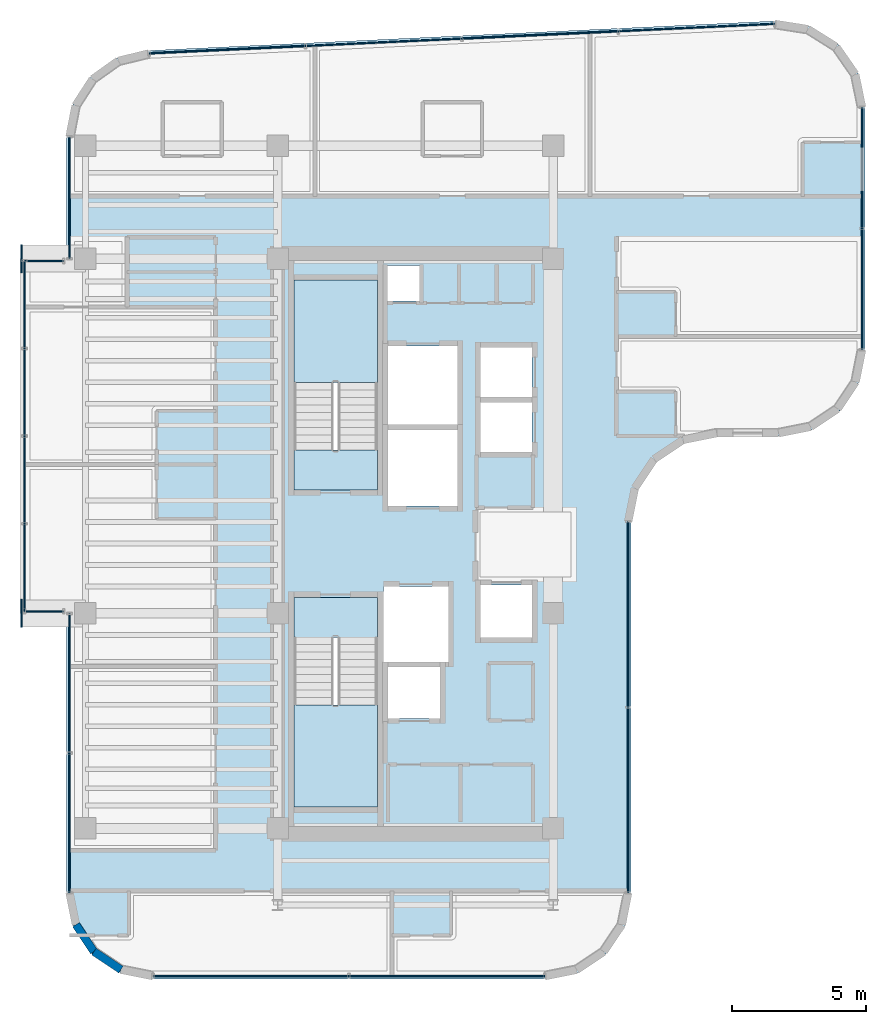
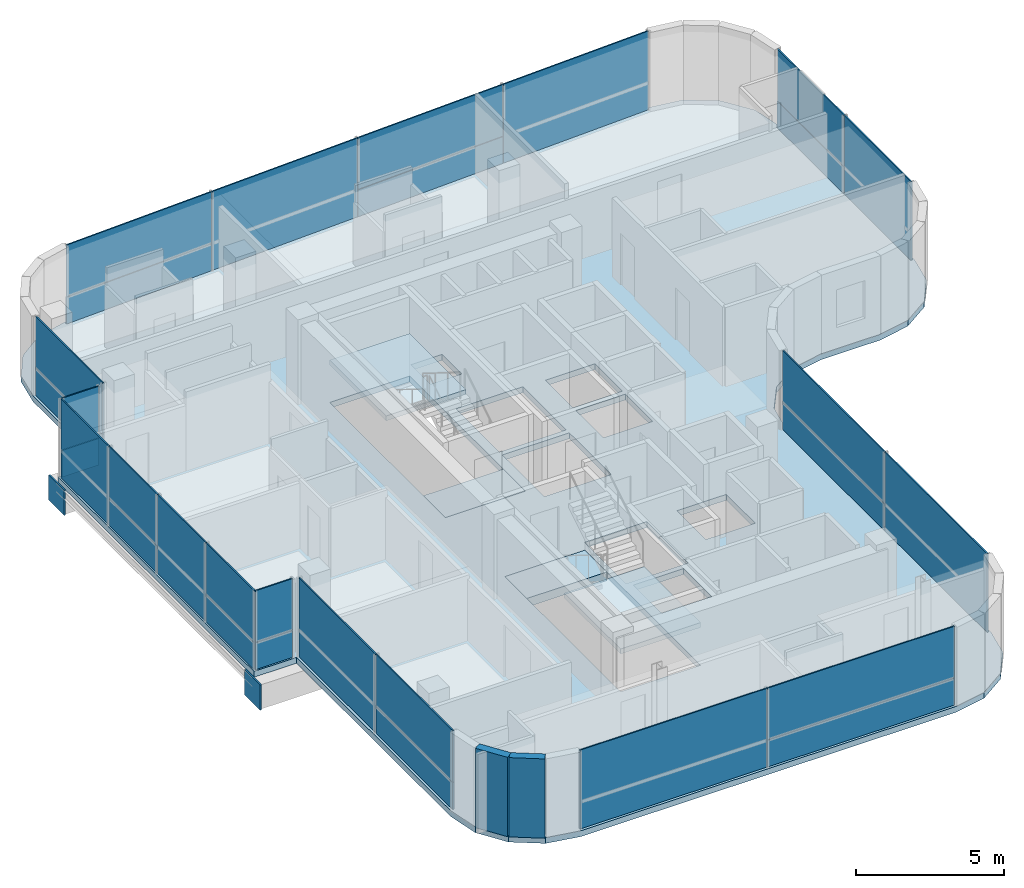
# One storey, part 13 of 20: 32 plates, 5 slabs, 2 walls, 11 elements without a shape of their own.
"""IFC4 building model written with IfcOpenShell, lengths in metres."""

from ifc_helpers import new_model, si_unit, direction, frame, frame_2d, origin, origin_2d, place, context, subcontext, project, spatial, polyline, rectangle, outline, extrude, source, transform, mapped, material, layer, layer_set, type_object, element, aggregate, save


model = new_model("IFC4")

# Units and contexts
model_context = context("Model", 3, precision=1e-05, world=origin(), true_north=direction((0.0, 1.0)))
body_context = subcontext(model_context, "Body", "Model", "MODEL_VIEW")
ifc_project = project(units=[si_unit("LENGTHUNIT", "METRE"), si_unit("AREAUNIT", "SQUARE_METRE"), si_unit("VOLUMEUNIT", "CUBIC_METRE"), si_unit("PLANEANGLEUNIT", "RADIAN"), si_unit("MASSUNIT", "GRAM", prefix="KILO")], contexts=[model_context])

# Site, building, storey
site_placement = place(None, origin())
site = spatial("IfcSite", under=ifc_project, at=site_placement, CompositionType="ELEMENT")
building_placement = place(site_placement, origin())
building = spatial("IfcBuilding", under=site, at=building_placement, Name="Valdorenza Pilgrim Sanctuary Tower", CompositionType="ELEMENT")
storey_placement = place(building_placement, frame((0.0, 0.0, 244.0)))
storey = spatial("IfcBuildingStorey", under=building, at=storey_placement, Name="L63", CompositionType="ELEMENT", Elevation=244.0)

# Slab
ifc_material_1 = material(Name="Concrete C40/50", Category="concrete")
ifc_layer_1 = layer(ifc_material_1, 0.239990234375, Name="Concrete C40/50")
ifc_layer_set_1 = layer_set([ifc_layer_1], Name="Concrete C40/50")
slab_type_1 = type_object("IfcSlabType", Name="SLAB-FLR-220", PredefinedType="FLOOR", material=ifc_layer_set_1)
slab_1_placement = place(storey_placement, frame((0.0, 0.0, -0.239990234375)))
element("IfcSlab", 1, at=slab_1_placement, inside=storey, type_object=slab_type_1, Name="L63 Structural Floor Slab 1", PredefinedType="FLOOR", context=body_context, shape_type="SweptSolid", body=[
    extrude(outline(polyline([(-30.2705078125, 16.3369140625), (-29.615478515625, 17.356201171875), (-28.628173828125, 18.05859375), (-27.45068359375, 18.34375), (-4.150634765625, 19.442138671875), (-2.880615234375, 19.243408203125), (-1.791259765625, 18.56103515625), (-1.05810546875, 17.5048828125), (-0.800048828125, 16.24560546875), (-0.800048828125, 7.199951171875), (-1.043701171875, 5.975341796875), (-1.7373046875, 4.937255859375), (-2.775390625, 4.24365234375), (-4.0, 4.0), (-6.300048828125, 4.0), (-7.524658203125, 3.75634765625), (-8.562744140625, 3.062744140625), (-9.25634765625, 2.024658203125), (-9.5, 0.800048828125), (-9.5, -13.0), (-9.74365234375, -14.224609375), (-10.437255859375, -15.2626953125), (-11.475341796875, -15.956298828125), (-12.699951171875, -16.199951171875), (-27.300048828125, -16.199951171875), (-28.524658203125, -15.956298828125), (-29.562744140625, -15.2626953125), (-30.25634765625, -14.224609375), (-30.5, -13.0), (-30.5, -2.60009765625), (-32.14990234375, -2.60009765625), (-32.14990234375, 10.60009765625), (-30.5, 10.60009765625), (-30.5, 15.147216796875), (-30.2705078125, 16.3369140625)]), holes=[polyline([(-22.050048828125, -9.800048828125), (-18.93994140625, -9.800048828125), (-18.93994140625, -3.485107421875), (-18.93994140625, -2.0), (-22.050048828125, -2.0), (-22.050048828125, -3.485107421875), (-22.050048828125, -9.800048828125)]), polyline([(-16.60009765625, -6.5), (-16.60009765625, -4.60009765625), (-18.550048828125, -4.60009765625), (-18.550048828125, -6.5), (-16.60009765625, -6.5)]), polyline([(-22.050048828125, 2.0), (-18.93994140625, 2.0), (-18.93994140625, 3.485107421875), (-18.93994140625, 9.800048828125), (-22.050048828125, 9.800048828125), (-22.050048828125, 3.485107421875), (-22.050048828125, 2.0)]), polyline([(-17.360107421875, 9.030029296875), (-17.360107421875, 10.35009765625), (-18.570068359375, 10.35009765625), (-18.570068359375, 9.030029296875), (-17.360107421875, 9.030029296875)]), polyline([(-16.300048828125, -1.60009765625), (-18.719970703125, -1.60009765625), (-18.719970703125, -4.39990234375), (-16.300048828125, -4.39990234375), (-16.300048828125, -1.60009765625)]), polyline([(-13.179931640625, -3.5), (-13.179931640625, -1.550048828125), (-15.10009765625, -1.550048828125), (-15.10009765625, -3.5), (-13.179931640625, -3.5)]), polyline([(-15.949951171875, 1.39990234375), (-15.949951171875, 4.22509765625), (-18.550048828125, 4.22509765625), (-18.550048828125, 1.39990234375), (-15.949951171875, 1.39990234375)]), polyline([(-13.179931640625, 5.25), (-15.10009765625, 5.25), (-15.10009765625, 3.39990234375), (-13.179931640625, 3.39990234375), (-13.179931640625, 5.25)]), polyline([(-15.949951171875, 4.425048828125), (-15.949951171875, 7.35009765625), (-18.550048828125, 7.35009765625), (-18.550048828125, 4.425048828125), (-15.949951171875, 4.425048828125)]), polyline([(-13.179931640625, 5.449951171875), (-13.179931640625, 7.300048828125), (-15.10009765625, 7.300048828125), (-15.10009765625, 5.449951171875), (-13.179931640625, 5.449951171875)])]), origin(), (0.0, 0.0, 1.0), 0.239990234375),
])

# Stair, slab
stair_type = type_object("IfcStairType", Name="STR-DOG-CORE", PredefinedType="HALF_TURN_STAIR", material=ifc_material_1)
stair_1_placement = place(storey_placement, origin())
stair_1 = element("IfcStair", 2, at=stair_1_placement, inside=storey, type_object=stair_type, Name="L63 ST-A1", PredefinedType="HALF_TURN_STAIR")
ifc_layer_2 = layer(ifc_material_1, 0.199951171875, Name="Concrete C40/50")
ifc_layer_set_2 = layer_set([ifc_layer_2], Name="Concrete C40/50")
slab_type_2 = type_object("IfcSlabType", Name="SLAB-STL-200", PredefinedType="LANDING", material=ifc_layer_set_2)
slab_2_placement = place(storey_placement, frame((0.0, 0.0, 1.550048828125)))
slab_2 = element("IfcSlab", 3, at=slab_2_placement, type_object=slab_type_2, Name="ST-A1 landing 1", PredefinedType="LANDING", context=body_context, shape_type="SweptSolid", body=[
    extrude(outline(polyline([(-18.93994140625, 6.0), (-18.93994140625, 9.800048828125), (-22.050048828125, 9.800048828125), (-22.050048828125, 6.0), (-18.93994140625, 6.0)])), origin(), (0.0, 0.0, 1.0), 0.199951171875),
])
aggregate(stair_1, [slab_2])

stair_2_placement = place(storey_placement, origin())
stair_2 = element("IfcStair", 4, at=stair_2_placement, inside=storey, type_object=stair_type, Name="L63 ST-A2", PredefinedType="HALF_TURN_STAIR")
slab_3_placement = place(storey_placement, frame((0.0, 0.0, 1.550048828125)))
slab_3 = element("IfcSlab", 5, at=slab_3_placement, type_object=slab_type_2, Name="ST-A2 landing 1", PredefinedType="LANDING", context=body_context, shape_type="SweptSolid", body=[
    extrude(outline(polyline([(-22.050048828125, -6.0), (-22.050048828125, -9.800048828125), (-18.93994140625, -9.800048828125), (-18.93994140625, -6.0), (-22.050048828125, -6.0)])), origin(), (0.0, 0.0, 1.0), 0.199951171875),
])
aggregate(stair_2, [slab_3])

# Slabs
ifc_material_2 = material(Name="Concrete C50/60", Category="concrete")
ifc_layer_3 = layer(ifc_material_2, 0.39990234375, Name="Concrete C50/60")
ifc_layer_set_3 = layer_set([ifc_layer_3], Name="Concrete C50/60")
slab_type_3 = type_object("IfcSlabType", Name="SLAB-TRF-400", PredefinedType="FLOOR", material=ifc_layer_set_3)
slab_4_placement = place(storey_placement, frame((0.0, 0.0, -0.360107421875)))
element("IfcSlab", 6, at=slab_4_placement, inside=storey, type_object=slab_type_3, Name="L63 ST-A1 Structural Stair Landing Bearing Slab", PredefinedType="FLOOR", context=body_context, shape_type="SweptSolid", body=[
    extrude(outline(polyline([(-22.050048828125, 2.0), (-18.93994140625, 2.0), (-18.93994140625, 3.485107421875), (-22.050048828125, 3.485107421875), (-22.050048828125, 2.0)])), origin(), (0.0, 0.0, 1.0), 0.360107421875),
])
slab_5_placement = place(storey_placement, frame((0.0, 0.0, -0.360107421875)))
element("IfcSlab", 7, at=slab_5_placement, inside=storey, type_object=slab_type_3, Name="L63 ST-A2 Structural Stair Landing Bearing Slab", PredefinedType="FLOOR", context=body_context, shape_type="SweptSolid", body=[
    extrude(outline(polyline([(-22.050048828125, -3.485107421875), (-18.93994140625, -3.485107421875), (-18.93994140625, -2.0), (-22.050048828125, -2.0), (-22.050048828125, -3.485107421875)])), origin(), (0.0, 0.0, 1.0), 0.360107421875),
])

# Plates
ifc_material_3 = material(Name="Steel ASTM A572 Grade 42", Category="steel")
ifc_layer_4 = layer(ifc_material_3, 0.06005859375, Name="Steel ASTM A572 Grade 42")
ifc_layer_set_4 = layer_set([ifc_layer_4], Name="Steel ASTM A572 Grade 42")
plate_type_1 = type_object("IfcPlateType", Name="PLT-CAP-60", PredefinedType="SHEET", material=ifc_layer_set_4)
shared_shape_1 = source(origin(), body_context, "Body", "SweptSolid", [
    extrude(rectangle(XDim=0.06005859375, YDim=1.0400390625, at=origin_2d()), origin(), (0.0, 0.0, 1.0), 1.0400390625),
])
for number, where, z_axis, x_axis, name in (
    (8, (-32.179931640625, 10.60009765625, -1.260009765625), (0.0, 0.0, 1.0), (1.0, 0.0, 0.0), "L63 BOX-WA-L63 Cantilever Tip End Cap N"),
    (9, (-32.179931640625, -2.60009765625, -1.260009765625), (0.0, 0.0, 1.0), (1.0, 0.0, 0.0), "L63 BOX-WA-L63 Cantilever Tip End Cap S"),
):
    element("IfcPlate", number, at=place(storey_placement, frame(where, z_axis=z_axis, x_axis=x_axis)), inside=storey, type_object=plate_type_1, Name=name, PredefinedType="SHEET", context=body_context, shape_type="MappedRepresentation", body=[
        mapped(shared_shape_1, transform((0.0, 0.0, 0.0), x_axis=(1.0, 0.0, 0.0), y_axis=(0.0, 1.0, 0.0), z_axis=(0.0, 0.0, 1.0), scale=1.0)),
    ])

# Curtain wall, plate
ifc_material_4 = material(Name="Curtain-wall IGU glazing", Category="glass")
curtain_wall_type = type_object("IfcCurtainWallType", Name="CW-SYS-02", PredefinedType="NOTDEFINED", material=ifc_material_4)
curtain_wall_1_placement = place(storey_placement, origin())
curtain_wall_1 = element("IfcCurtainWall", 10, at=curtain_wall_1_placement, inside=storey, type_object=curtain_wall_type, Name="L63 Curtain Wall CW-L63-BOX-WA-L63-S", PredefinedType="NOTDEFINED")
ifc_material_5 = material(Name="Honed travertine limestone", Category="masonry")
ifc_layer_5 = layer(ifc_material_5, 0.050048828125, Name="Honed travertine limestone")
ifc_layer_set_5 = layer_set([ifc_layer_5], Name="Honed travertine limestone")
plate_type_2 = type_object("IfcPlateType", Name="CW-SPN-TRV", PredefinedType="USERDEFINED", material=ifc_layer_set_5)
shared_shape_2 = source(origin(), body_context, "Body", "SweptSolid", [
    extrude(rectangle(XDim=1.43994140625, YDim=0.06005859375, at=origin_2d()), origin(), (0.0, 0.0, 1.0), 1.10009765625),
])
plate_1_placement = place(storey_placement, frame((-31.340087890625, -2.52001953125, 0.010009765625), z_axis=(0.0, 0.0, 1.0), x_axis=(-1.0, 0.0, 0.0)))
plate_1 = element("IfcPlate", 11, at=plate_1_placement, type_object=plate_type_2, Name="CW-L63-BOX-WA-L63-S Travertine Spandrel 1", ObjectType="SPANDREL", PredefinedType="USERDEFINED", context=body_context, shape_type="MappedRepresentation", body=[
    mapped(shared_shape_2, transform((0.0, 0.0, 0.0), x_axis=(1.0, 0.0, 0.0), y_axis=(0.0, 1.0, 0.0), z_axis=(0.0, 0.0, 1.0), scale=1.0)),
])

curtain_wall_2_placement = place(storey_placement, origin())
curtain_wall_2 = element("IfcCurtainWall", 12, at=curtain_wall_2_placement, inside=storey, type_object=curtain_wall_type, Name="L63 Curtain Wall CW-L63-BOX-WA-L63-N", PredefinedType="NOTDEFINED")
plate_2_placement = place(storey_placement, frame((-31.340087890625, 10.52001953125, 0.010009765625), z_axis=(0.0, 0.0, 1.0), x_axis=(1.0, 0.0, 0.0)))
plate_2 = element("IfcPlate", 13, at=plate_2_placement, type_object=plate_type_2, Name="CW-L63-BOX-WA-L63-N Travertine Spandrel 1", ObjectType="SPANDREL", PredefinedType="USERDEFINED", context=body_context, shape_type="MappedRepresentation", body=[
    mapped(shared_shape_2, transform((0.0, 0.0, 0.0), x_axis=(1.0, 0.0, 0.0), y_axis=(0.0, 1.0, 0.0), z_axis=(0.0, 0.0, 1.0), scale=1.0)),
])

# Curtain wall, plates
curtain_wall_3_placement = place(storey_placement, origin())
curtain_wall_3 = element("IfcCurtainWall", 14, at=curtain_wall_3_placement, inside=storey, type_object=curtain_wall_type, Name="L63 Curtain Wall CW-L63-BOX-WA-L63-F", PredefinedType="NOTDEFINED")
shared_shape_3 = source(origin(), body_context, "Body", "SweptSolid", [
    extrude(rectangle(XDim=3.239990234375, YDim=0.06005859375, at=origin_2d()), origin(), (0.0, 0.0, 1.0), 1.10009765625),
])
plate_3_placement = place(storey_placement, frame((-32.070068359375, -0.889892578125, 0.010009765625), z_axis=(0.0, 0.0, 1.0), x_axis=(0.0, 1.0, 0.0)))
plate_3 = element("IfcPlate", 15, at=plate_3_placement, type_object=plate_type_2, Name="CW-L63-BOX-WA-L63-F Travertine Spandrel 1", ObjectType="SPANDREL", PredefinedType="USERDEFINED", context=body_context, shape_type="MappedRepresentation", body=[
    mapped(shared_shape_3, transform((0.0, 0.0, 0.0), x_axis=(1.0, 0.0, 0.0), y_axis=(0.0, 1.0, 0.0), z_axis=(0.0, 0.0, 1.0), scale=1.0)),
])
plate_4_placement = place(storey_placement, frame((-32.070068359375, 5.6298828125, 0.010009765625), z_axis=(0.0, 0.0, 1.0), x_axis=(0.0, 1.0, 0.0)))
plate_4 = element("IfcPlate", 16, at=plate_4_placement, type_object=plate_type_2, Name="CW-L63-BOX-WA-L63-F Travertine Spandrel 3", ObjectType="SPANDREL", PredefinedType="USERDEFINED", context=body_context, shape_type="MappedRepresentation", body=[
    mapped(shared_shape_3, transform((0.0, 0.0, 0.0), x_axis=(1.0, 0.0, 0.0), y_axis=(0.0, 1.0, 0.0), z_axis=(0.0, 0.0, 1.0), scale=1.0)),
])

# Plate
ifc_material_6 = material(Name="Ceramic-fritted low-E IGU glazing", Category="glass")
ifc_layer_6 = layer(ifc_material_6, 0.035888671875, Name="Ceramic-fritted low-E IGU glazing")
ifc_layer_set_6 = layer_set([ifc_layer_6], Name="Ceramic-fritted low-E IGU glazing")
plate_type_3 = type_object("IfcPlateType", Name="CW-GLZ-IGU", PredefinedType="USERDEFINED", material=ifc_layer_set_6)
shared_shape_4 = source(origin(), body_context, "Body", "SweptSolid", [
    extrude(rectangle(XDim=1.43994140625, YDim=0.050048828125, at=origin_2d()), origin(), (0.0, 0.0, 1.0), 2.1201171875),
])
plate_5_placement = place(storey_placement, frame((-31.340087890625, -2.52001953125, 1.1298828125), z_axis=(0.0, 0.0, 1.0), x_axis=(-1.0, 0.0, 0.0)))
plate_5 = element("IfcPlate", 17, at=plate_5_placement, type_object=plate_type_3, Name="CW-L63-BOX-WA-L63-S Facade Panel 1", ObjectType="GLAZING", PredefinedType="USERDEFINED", context=body_context, shape_type="MappedRepresentation", body=[
    mapped(shared_shape_4, transform((0.0, 0.0, 0.0), x_axis=(1.0, 0.0, 0.0), y_axis=(0.0, 1.0, 0.0), z_axis=(0.0, 0.0, 1.0), scale=1.0)),
])

aggregate(curtain_wall_1, [plate_1, plate_5])

plate_6_placement = place(storey_placement, frame((-31.340087890625, 10.52001953125, 1.1298828125), z_axis=(0.0, 0.0, 1.0), x_axis=(1.0, 0.0, 0.0)))
plate_6 = element("IfcPlate", 18, at=plate_6_placement, type_object=plate_type_3, Name="CW-L63-BOX-WA-L63-N Facade Panel 1", ObjectType="GLAZING", PredefinedType="USERDEFINED", context=body_context, shape_type="MappedRepresentation", body=[
    mapped(shared_shape_4, transform((0.0, 0.0, 0.0), x_axis=(1.0, 0.0, 0.0), y_axis=(0.0, 1.0, 0.0), z_axis=(0.0, 0.0, 1.0), scale=1.0)),
])

aggregate(curtain_wall_2, [plate_2, plate_6])

shared_shape_5 = source(origin(), body_context, "Body", "SweptSolid", [
    extrude(rectangle(XDim=3.239990234375, YDim=0.050048828125, at=origin_2d()), origin(), (0.0, 0.0, 1.0), 2.1201171875),
])
plate_7_placement = place(storey_placement, frame((-32.070068359375, -0.889892578125, 1.1298828125), z_axis=(0.0, 0.0, 1.0), x_axis=(0.0, 1.0, 0.0)))
plate_7 = element("IfcPlate", 19, at=plate_7_placement, type_object=plate_type_3, Name="CW-L63-BOX-WA-L63-F Facade Panel 1", ObjectType="GLAZING", PredefinedType="USERDEFINED", context=body_context, shape_type="MappedRepresentation", body=[
    mapped(shared_shape_5, transform((0.0, 0.0, 0.0), x_axis=(1.0, 0.0, 0.0), y_axis=(0.0, 1.0, 0.0), z_axis=(0.0, 0.0, 1.0), scale=1.0)),
])

plate_8_placement = place(storey_placement, frame((-32.070068359375, 5.6298828125, 1.1298828125), z_axis=(0.0, 0.0, 1.0), x_axis=(0.0, 1.0, 0.0)))
plate_8 = element("IfcPlate", 20, at=plate_8_placement, type_object=plate_type_3, Name="CW-L63-BOX-WA-L63-F Facade Panel 3", ObjectType="GLAZING", PredefinedType="USERDEFINED", context=body_context, shape_type="MappedRepresentation", body=[
    mapped(shared_shape_5, transform((0.0, 0.0, 0.0), x_axis=(1.0, 0.0, 0.0), y_axis=(0.0, 1.0, 0.0), z_axis=(0.0, 0.0, 1.0), scale=1.0)),
])

shared_shape_6 = source(origin(), body_context, "Body", "SweptSolid", [
    extrude(rectangle(XDim=3.239990234375, YDim=0.050048828125, at=origin_2d()), origin(), (0.0, 0.0, 1.0), 3.239990234375),
])
plate_9_placement = place(storey_placement, frame((-32.070068359375, 2.3701171875, 0.009765625), z_axis=(0.0, 0.0, 1.0), x_axis=(0.0, 1.0, 0.0)))
plate_9 = element("IfcPlate", 21, at=plate_9_placement, type_object=plate_type_3, Name="CW-L63-BOX-WA-L63-F Full-Height Facade Panel 2", ObjectType="GLAZING", PredefinedType="USERDEFINED", context=body_context, shape_type="MappedRepresentation", body=[
    mapped(shared_shape_6, transform((0.0, 0.0, 0.0), x_axis=(1.0, 0.0, 0.0), y_axis=(0.0, 1.0, 0.0), z_axis=(0.0, 0.0, 1.0), scale=1.0)),
])

plate_10_placement = place(storey_placement, frame((-32.070068359375, 8.889892578125, 0.009765625), z_axis=(0.0, 0.0, 1.0), x_axis=(0.0, 1.0, 0.0)))
plate_10 = element("IfcPlate", 22, at=plate_10_placement, type_object=plate_type_3, Name="CW-L63-BOX-WA-L63-F Full-Height Facade Panel 4", ObjectType="GLAZING", PredefinedType="USERDEFINED", context=body_context, shape_type="MappedRepresentation", body=[
    mapped(shared_shape_6, transform((0.0, 0.0, 0.0), x_axis=(1.0, 0.0, 0.0), y_axis=(0.0, 1.0, 0.0), z_axis=(0.0, 0.0, 1.0), scale=1.0)),
])

aggregate(curtain_wall_3, [plate_3, plate_7, plate_9, plate_4, plate_8, plate_10])

# Curtain wall, plates
curtain_wall_4_placement = place(storey_placement, origin())
curtain_wall_4 = element("IfcCurtainWall", 23, at=curtain_wall_4_placement, inside=storey, type_object=curtain_wall_type, Name="L63 Curtain Wall CW-L63-1-1S1", PredefinedType="NOTDEFINED")
shared_shape_7 = source(origin(), body_context, "Body", "SweptSolid", [
    extrude(rectangle(XDim=5.174560546875, YDim=0.06005859375, at=origin_2d()), origin(), (0.0, 0.0, 1.0), 1.10009765625),
])
plate_11_placement = place(storey_placement, frame((-30.389892578125, -10.391845703125, 0.010009765625), z_axis=(0.0, 0.0, 1.0), x_axis=(0.0, 1.0, 0.0)))
plate_11 = element("IfcPlate", 24, at=plate_11_placement, type_object=plate_type_2, Name="CW-L63-1-1S1 Travertine Spandrel 1", ObjectType="SPANDREL", PredefinedType="USERDEFINED", context=body_context, shape_type="MappedRepresentation", body=[
    mapped(shared_shape_7, transform((0.0, 0.0, 0.0), x_axis=(1.0, 0.0, 0.0), y_axis=(0.0, 1.0, 0.0), z_axis=(0.0, 0.0, 1.0), scale=1.0)),
])
shared_shape_8 = source(origin(), body_context, "Body", "SweptSolid", [
    extrude(rectangle(XDim=5.174560546875, YDim=0.050048828125, at=origin_2d()), origin(), (0.0, 0.0, 1.0), 2.1201171875),
])
plate_12_placement = place(storey_placement, frame((-30.389892578125, -10.391845703125, 1.1298828125), z_axis=(0.0, 0.0, 1.0), x_axis=(0.0, 1.0, 0.0)))
plate_12 = element("IfcPlate", 25, at=plate_12_placement, type_object=plate_type_3, Name="CW-L63-1-1S1 Facade Panel 1", ObjectType="GLAZING", PredefinedType="USERDEFINED", context=body_context, shape_type="MappedRepresentation", body=[
    mapped(shared_shape_8, transform((0.0, 0.0, 0.0), x_axis=(1.0, 0.0, 0.0), y_axis=(0.0, 1.0, 0.0), z_axis=(0.0, 0.0, 1.0), scale=1.0)),
])
shared_shape_9 = source(origin(), body_context, "Body", "SweptSolid", [
    extrude(rectangle(XDim=5.174560546875, YDim=0.050048828125, at=origin_2d()), origin(), (0.0, 0.0, 1.0), 3.239990234375),
])
plate_13_placement = place(storey_placement, frame((-30.389892578125, -5.197265625, 0.009765625), z_axis=(0.0, 0.0, 1.0), x_axis=(0.0, 1.0, 0.0)))
plate_13 = element("IfcPlate", 26, at=plate_13_placement, type_object=plate_type_3, Name="CW-L63-1-1S1 Full-Height Facade Panel 2", ObjectType="GLAZING", PredefinedType="USERDEFINED", context=body_context, shape_type="MappedRepresentation", body=[
    mapped(shared_shape_9, transform((0.0, 0.0, 0.0), x_axis=(1.0, 0.0, 0.0), y_axis=(0.0, 1.0, 0.0), z_axis=(0.0, 0.0, 1.0), scale=1.0)),
])
aggregate(curtain_wall_4, [plate_11, plate_12, plate_13])

curtain_wall_5_placement = place(storey_placement, origin())
curtain_wall_5 = element("IfcCurtainWall", 27, at=curtain_wall_5_placement, inside=storey, type_object=curtain_wall_type, Name="L63 Curtain Wall CW-L63-1-1S2", PredefinedType="NOTDEFINED")
shared_shape_10 = source(origin(), body_context, "Body", "SweptSolid", [
    extrude(rectangle(XDim=4.516845703125, YDim=0.06005859375, at=origin_2d()), origin(), (0.0, 0.0, 1.0), 1.10009765625),
])
plate_14_placement = place(storey_placement, frame((-30.389892578125, 12.868408203125, 0.010009765625), z_axis=(0.0, 0.0, 1.0), x_axis=(0.0, 1.0, 0.0)))
plate_14 = element("IfcPlate", 28, at=plate_14_placement, type_object=plate_type_2, Name="CW-L63-1-1S2 Travertine Spandrel 1", ObjectType="SPANDREL", PredefinedType="USERDEFINED", context=body_context, shape_type="MappedRepresentation", body=[
    mapped(shared_shape_10, transform((0.0, 0.0, 0.0), x_axis=(1.0, 0.0, 0.0), y_axis=(0.0, 1.0, 0.0), z_axis=(0.0, 0.0, 1.0), scale=1.0)),
])
shared_shape_11 = source(origin(), body_context, "Body", "SweptSolid", [
    extrude(rectangle(XDim=4.516845703125, YDim=0.050048828125, at=origin_2d()), origin(), (0.0, 0.0, 1.0), 2.1201171875),
])
plate_15_placement = place(storey_placement, frame((-30.389892578125, 12.868408203125, 1.1298828125), z_axis=(0.0, 0.0, 1.0), x_axis=(0.0, 1.0, 0.0)))
plate_15 = element("IfcPlate", 29, at=plate_15_placement, type_object=plate_type_3, Name="CW-L63-1-1S2 Facade Panel 1", ObjectType="GLAZING", PredefinedType="USERDEFINED", context=body_context, shape_type="MappedRepresentation", body=[
    mapped(shared_shape_11, transform((0.0, 0.0, 0.0), x_axis=(1.0, 0.0, 0.0), y_axis=(0.0, 1.0, 0.0), z_axis=(0.0, 0.0, 1.0), scale=1.0)),
])
aggregate(curtain_wall_5, [plate_14, plate_15])

curtain_wall_6_placement = place(storey_placement, origin())
curtain_wall_6 = element("IfcCurtainWall", 30, at=curtain_wall_6_placement, inside=storey, type_object=curtain_wall_type, Name="L63 Curtain Wall CW-L63-1-6", PredefinedType="NOTDEFINED")
shared_shape_12 = source(origin(), body_context, "Body", "SweptSolid", [
    extrude(rectangle(XDim=5.805908203125, YDim=0.06005859375, at=origin_2d()), origin(), (0.0, 0.0, 1.0), 1.10009765625),
])
plate_16_placement = place(storey_placement, frame((-24.525146484375, 18.37158203125, 0.010009765625), z_axis=(0.0, 0.0, 1.0), x_axis=(0.998890696972, 0.047089016785, 0.0)))
plate_16 = element("IfcPlate", 31, at=plate_16_placement, type_object=plate_type_2, Name="CW-L63-1-6 Travertine Spandrel 1", ObjectType="SPANDREL", PredefinedType="USERDEFINED", context=body_context, shape_type="MappedRepresentation", body=[
    mapped(shared_shape_12, transform((0.0, 0.0, 0.0), x_axis=(1.0, 0.0, 0.0), y_axis=(0.0, 1.0, 0.0), z_axis=(0.0, 0.0, 1.0), scale=1.0)),
])
plate_17_placement = place(storey_placement, frame((-12.885986328125, 18.920166015625, 0.010009765625), z_axis=(0.0, 0.0, 1.0), x_axis=(0.998890696972, 0.047089016785, 0.0)))
plate_17 = element("IfcPlate", 32, at=plate_17_placement, type_object=plate_type_2, Name="CW-L63-1-6 Travertine Spandrel 3", ObjectType="SPANDREL", PredefinedType="USERDEFINED", context=body_context, shape_type="MappedRepresentation", body=[
    mapped(shared_shape_12, transform((0.0, 0.0, 0.0), x_axis=(1.0, 0.0, 0.0), y_axis=(0.0, 1.0, 0.0), z_axis=(0.0, 0.0, 1.0), scale=1.0)),
])
shared_shape_13 = source(origin(), body_context, "Body", "SweptSolid", [
    extrude(rectangle(XDim=5.805908203125, YDim=0.050048828125, at=origin_2d()), origin(), (0.0, 0.0, 1.0), 2.1201171875),
])
plate_18_placement = place(storey_placement, frame((-24.525146484375, 18.37158203125, 1.1298828125), z_axis=(0.0, 0.0, 1.0), x_axis=(0.998890696972, 0.047089016785, 0.0)))
plate_18 = element("IfcPlate", 33, at=plate_18_placement, type_object=plate_type_3, Name="CW-L63-1-6 Facade Panel 1", ObjectType="GLAZING", PredefinedType="USERDEFINED", context=body_context, shape_type="MappedRepresentation", body=[
    mapped(shared_shape_13, transform((0.0, 0.0, 0.0), x_axis=(1.0, 0.0, 0.0), y_axis=(0.0, 1.0, 0.0), z_axis=(0.0, 0.0, 1.0), scale=1.0)),
])
plate_19_placement = place(storey_placement, frame((-12.885986328125, 18.920166015625, 1.1298828125), z_axis=(0.0, 0.0, 1.0), x_axis=(0.998890696972, 0.047089016785, 0.0)))
plate_19 = element("IfcPlate", 34, at=plate_19_placement, type_object=plate_type_3, Name="CW-L63-1-6 Facade Panel 3", ObjectType="GLAZING", PredefinedType="USERDEFINED", context=body_context, shape_type="MappedRepresentation", body=[
    mapped(shared_shape_13, transform((0.0, 0.0, 0.0), x_axis=(1.0, 0.0, 0.0), y_axis=(0.0, 1.0, 0.0), z_axis=(0.0, 0.0, 1.0), scale=1.0)),
])
shared_shape_14 = source(origin(), body_context, "Body", "SweptSolid", [
    extrude(rectangle(XDim=5.805908203125, YDim=0.050048828125, at=origin_2d()), origin(), (0.0, 0.0, 1.0), 3.239990234375),
])
plate_20_placement = place(storey_placement, frame((-18.70556640625, 18.645751953125, 0.009765625), z_axis=(0.0, 0.0, 1.0), x_axis=(0.998890696972, 0.047089016785, 0.0)))
plate_20 = element("IfcPlate", 35, at=plate_20_placement, type_object=plate_type_3, Name="CW-L63-1-6 Full-Height Facade Panel 2", ObjectType="GLAZING", PredefinedType="USERDEFINED", context=body_context, shape_type="MappedRepresentation", body=[
    mapped(shared_shape_14, transform((0.0, 0.0, 0.0), x_axis=(1.0, 0.0, 0.0), y_axis=(0.0, 1.0, 0.0), z_axis=(0.0, 0.0, 1.0), scale=1.0)),
])
plate_21_placement = place(storey_placement, frame((-7.06640625, 19.194580078125, 0.009765625), z_axis=(0.0, 0.0, 1.0), x_axis=(0.998890696972, 0.047089016785, 0.0)))
plate_21 = element("IfcPlate", 36, at=plate_21_placement, type_object=plate_type_3, Name="CW-L63-1-6 Full-Height Facade Panel 4", ObjectType="GLAZING", PredefinedType="USERDEFINED", context=body_context, shape_type="MappedRepresentation", body=[
    mapped(shared_shape_14, transform((0.0, 0.0, 0.0), x_axis=(1.0, 0.0, 0.0), y_axis=(0.0, 1.0, 0.0), z_axis=(0.0, 0.0, 1.0), scale=1.0)),
])
aggregate(curtain_wall_6, [plate_16, plate_18, plate_20, plate_17, plate_19, plate_21])

curtain_wall_7_placement = place(storey_placement, origin())
curtain_wall_7 = element("IfcCurtainWall", 37, at=curtain_wall_7_placement, inside=storey, type_object=curtain_wall_type, Name="L63 Curtain Wall CW-L63-1-11", PredefinedType="NOTDEFINED")
shared_shape_15 = source(origin(), body_context, "Body", "SweptSolid", [
    extrude(rectangle(XDim=4.49169921875, YDim=0.06005859375, at=origin_2d()), origin(), (0.0, 0.0, 1.0), 1.10009765625),
])
plate_22_placement = place(storey_placement, frame((-0.909912109375, 13.978515625, 0.010009765625), z_axis=(0.0, 0.0, 1.0), x_axis=(0.0, -1.0, 0.0)))
plate_22 = element("IfcPlate", 38, at=plate_22_placement, type_object=plate_type_2, Name="CW-L63-1-11 Travertine Spandrel 1", ObjectType="SPANDREL", PredefinedType="USERDEFINED", context=body_context, shape_type="MappedRepresentation", body=[
    mapped(shared_shape_15, transform((0.0, 0.0, 0.0), x_axis=(1.0, 0.0, 0.0), y_axis=(0.0, 1.0, 0.0), z_axis=(0.0, 0.0, 1.0), scale=1.0)),
])
shared_shape_16 = source(origin(), body_context, "Body", "SweptSolid", [
    extrude(rectangle(XDim=4.49169921875, YDim=0.050048828125, at=origin_2d()), origin(), (0.0, 0.0, 1.0), 2.1201171875),
])
plate_23_placement = place(storey_placement, frame((-0.909912109375, 13.978515625, 1.1298828125), z_axis=(0.0, 0.0, 1.0), x_axis=(0.0, -1.0, 0.0)))
plate_23 = element("IfcPlate", 39, at=plate_23_placement, type_object=plate_type_3, Name="CW-L63-1-11 Facade Panel 1", ObjectType="GLAZING", PredefinedType="USERDEFINED", context=body_context, shape_type="MappedRepresentation", body=[
    mapped(shared_shape_16, transform((0.0, 0.0, 0.0), x_axis=(1.0, 0.0, 0.0), y_axis=(0.0, 1.0, 0.0), z_axis=(0.0, 0.0, 1.0), scale=1.0)),
])
shared_shape_17 = source(origin(), body_context, "Body", "SweptSolid", [
    extrude(rectangle(XDim=4.49169921875, YDim=0.050048828125, at=origin_2d()), origin(), (0.0, 0.0, 1.0), 3.239990234375),
])
plate_24_placement = place(storey_placement, frame((-0.909912109375, 9.466796875, 0.009765625), z_axis=(0.0, 0.0, 1.0), x_axis=(0.0, -1.0, 0.0)))
plate_24 = element("IfcPlate", 40, at=plate_24_placement, type_object=plate_type_3, Name="CW-L63-1-11 Full-Height Facade Panel 2", ObjectType="GLAZING", PredefinedType="USERDEFINED", context=body_context, shape_type="MappedRepresentation", body=[
    mapped(shared_shape_17, transform((0.0, 0.0, 0.0), x_axis=(1.0, 0.0, 0.0), y_axis=(0.0, 1.0, 0.0), z_axis=(0.0, 0.0, 1.0), scale=1.0)),
])
aggregate(curtain_wall_7, [plate_22, plate_23, plate_24])

curtain_wall_8_placement = place(storey_placement, origin())
curtain_wall_8 = element("IfcCurtainWall", 41, at=curtain_wall_8_placement, inside=storey, type_object=curtain_wall_type, Name="L63 Curtain Wall CW-L63-1-21", PredefinedType="NOTDEFINED")
shared_shape_18 = source(origin(), body_context, "Body", "SweptSolid", [
    extrude(rectangle(XDim=6.8798828125, YDim=0.06005859375, at=origin_2d()), origin(), (0.0, 0.0, 1.0), 1.10009765625),
])
plate_25_placement = place(storey_placement, frame((-9.610107421875, -2.63916015625, 0.010009765625), z_axis=(0.0, 0.0, 1.0), x_axis=(0.0, -1.0, 0.0)))
plate_25 = element("IfcPlate", 42, at=plate_25_placement, type_object=plate_type_2, Name="CW-L63-1-21 Travertine Spandrel 1", ObjectType="SPANDREL", PredefinedType="USERDEFINED", context=body_context, shape_type="MappedRepresentation", body=[
    mapped(shared_shape_18, transform((0.0, 0.0, 0.0), x_axis=(1.0, 0.0, 0.0), y_axis=(0.0, 1.0, 0.0), z_axis=(0.0, 0.0, 1.0), scale=1.0)),
])
shared_shape_19 = source(origin(), body_context, "Body", "SweptSolid", [
    extrude(rectangle(XDim=6.8798828125, YDim=0.050048828125, at=origin_2d()), origin(), (0.0, 0.0, 1.0), 2.1201171875),
])
plate_26_placement = place(storey_placement, frame((-9.610107421875, -2.63916015625, 1.1298828125), z_axis=(0.0, 0.0, 1.0), x_axis=(0.0, -1.0, 0.0)))
plate_26 = element("IfcPlate", 43, at=plate_26_placement, type_object=plate_type_3, Name="CW-L63-1-21 Facade Panel 1", ObjectType="GLAZING", PredefinedType="USERDEFINED", context=body_context, shape_type="MappedRepresentation", body=[
    mapped(shared_shape_19, transform((0.0, 0.0, 0.0), x_axis=(1.0, 0.0, 0.0), y_axis=(0.0, 1.0, 0.0), z_axis=(0.0, 0.0, 1.0), scale=1.0)),
])
shared_shape_20 = source(origin(), body_context, "Body", "SweptSolid", [
    extrude(rectangle(XDim=6.8798828125, YDim=0.050048828125, at=origin_2d()), origin(), (0.0, 0.0, 1.0), 3.239990234375),
])
plate_27_placement = place(storey_placement, frame((-9.610107421875, -9.539306640625, 0.009765625), z_axis=(0.0, 0.0, 1.0), x_axis=(0.0, -1.0, 0.0)))
plate_27 = element("IfcPlate", 44, at=plate_27_placement, type_object=plate_type_3, Name="CW-L63-1-21 Full-Height Facade Panel 2", ObjectType="GLAZING", PredefinedType="USERDEFINED", context=body_context, shape_type="MappedRepresentation", body=[
    mapped(shared_shape_20, transform((0.0, 0.0, 0.0), x_axis=(1.0, 0.0, 0.0), y_axis=(0.0, 1.0, 0.0), z_axis=(0.0, 0.0, 1.0), scale=1.0)),
])
aggregate(curtain_wall_8, [plate_25, plate_26, plate_27])

curtain_wall_9_placement = place(storey_placement, origin())
curtain_wall_9 = element("IfcCurtainWall", 45, at=curtain_wall_9_placement, inside=storey, type_object=curtain_wall_type, Name="L63 Curtain Wall CW-L63-1-26", PredefinedType="NOTDEFINED")
shared_shape_21 = source(origin(), body_context, "Body", "SweptSolid", [
    extrude(rectangle(XDim=7.269287109375, YDim=0.06005859375, at=origin_2d()), origin(), (0.0, 0.0, 1.0), 1.10009765625),
])
plate_28_placement = place(storey_placement, frame((-16.35546875, -16.090087890625, 0.010009765625), z_axis=(0.0, 0.0, 1.0), x_axis=(-1.0, 0.0, 0.0)))
plate_28 = element("IfcPlate", 46, at=plate_28_placement, type_object=plate_type_2, Name="CW-L63-1-26 Travertine Spandrel 1", ObjectType="SPANDREL", PredefinedType="USERDEFINED", context=body_context, shape_type="MappedRepresentation", body=[
    mapped(shared_shape_21, transform((0.0, 0.0, 0.0), x_axis=(1.0, 0.0, 0.0), y_axis=(0.0, 1.0, 0.0), z_axis=(0.0, 0.0, 1.0), scale=1.0)),
])
shared_shape_22 = source(origin(), body_context, "Body", "SweptSolid", [
    extrude(rectangle(XDim=7.269287109375, YDim=0.050048828125, at=origin_2d()), origin(), (0.0, 0.0, 1.0), 2.1201171875),
])
plate_29_placement = place(storey_placement, frame((-16.35546875, -16.090087890625, 1.1298828125), z_axis=(0.0, 0.0, 1.0), x_axis=(-1.0, 0.0, 0.0)))
plate_29 = element("IfcPlate", 47, at=plate_29_placement, type_object=plate_type_3, Name="CW-L63-1-26 Facade Panel 1", ObjectType="GLAZING", PredefinedType="USERDEFINED", context=body_context, shape_type="MappedRepresentation", body=[
    mapped(shared_shape_22, transform((0.0, 0.0, 0.0), x_axis=(1.0, 0.0, 0.0), y_axis=(0.0, 1.0, 0.0), z_axis=(0.0, 0.0, 1.0), scale=1.0)),
])
shared_shape_23 = source(origin(), body_context, "Body", "SweptSolid", [
    extrude(rectangle(XDim=7.269287109375, YDim=0.050048828125, at=origin_2d()), origin(), (0.0, 0.0, 1.0), 3.239990234375),
])
plate_30_placement = place(storey_placement, frame((-23.64453125, -16.090087890625, 0.009765625), z_axis=(0.0, 0.0, 1.0), x_axis=(-1.0, 0.0, 0.0)))
plate_30 = element("IfcPlate", 48, at=plate_30_placement, type_object=plate_type_3, Name="CW-L63-1-26 Full-Height Facade Panel 2", ObjectType="GLAZING", PredefinedType="USERDEFINED", context=body_context, shape_type="MappedRepresentation", body=[
    mapped(shared_shape_23, transform((0.0, 0.0, 0.0), x_axis=(1.0, 0.0, 0.0), y_axis=(0.0, 1.0, 0.0), z_axis=(0.0, 0.0, 1.0), scale=1.0)),
])
aggregate(curtain_wall_9, [plate_28, plate_29, plate_30])

# Walls
ifc_layer_7 = layer(ifc_material_5, 0.300048828125, Name="Honed travertine limestone")
ifc_layer_set_7 = layer_set([ifc_layer_7], Name="Honed travertine limestone")
wall_type = type_object("IfcWallType", Name="WAL-EXT-300", PredefinedType="SOLIDWALL", material=ifc_layer_set_7)
for number, where, z_axis, x_axis, name in (
    (49, (-28.481689453125, -15.852783203125, 0.0), (0.0, 0.0, 1.0), (-0.831426265255, 0.555635100982, 0.0), "L63 Rounded Wind-Corner Stone Pier 28"),
    (50, (-29.4833984375, -15.183349609375, 0.0), (0.0, 0.0, 1.0), (-0.555635100982, 0.831426265255, 0.0), "L63 Rounded Wind-Corner Stone Pier 29"),
):
    element("IfcWall", number, at=place(storey_placement, frame(where, z_axis=z_axis, x_axis=x_axis)), inside=storey, type_object=wall_type, Name=name, PredefinedType="SOLIDWALL", context=body_context, shape_type="SweptSolid", body=[
        extrude(rectangle(XDim=1.204833984375, YDim=0.300048828125, at=frame_2d((0.6025390625, 0.0))), origin(), (0.0, 0.0, 1.0), 3.260009765625),
    ])

save(model, "model.ifc")
